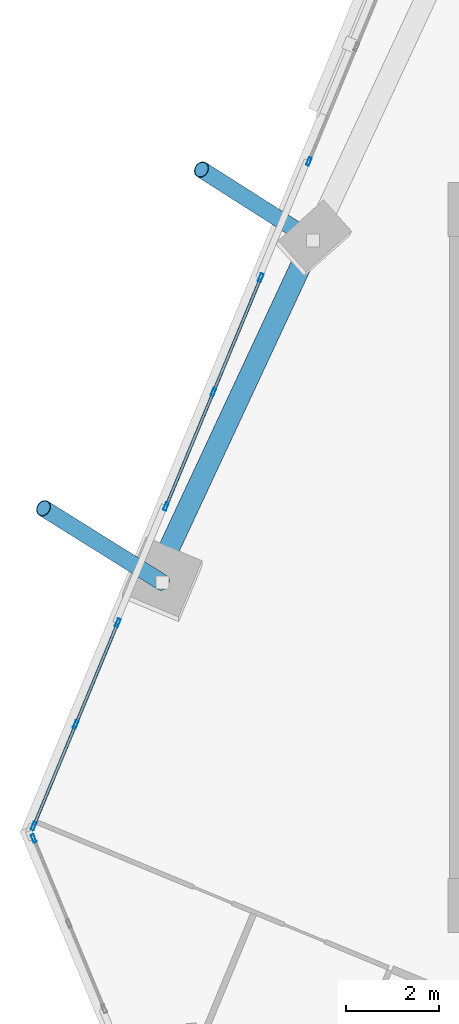
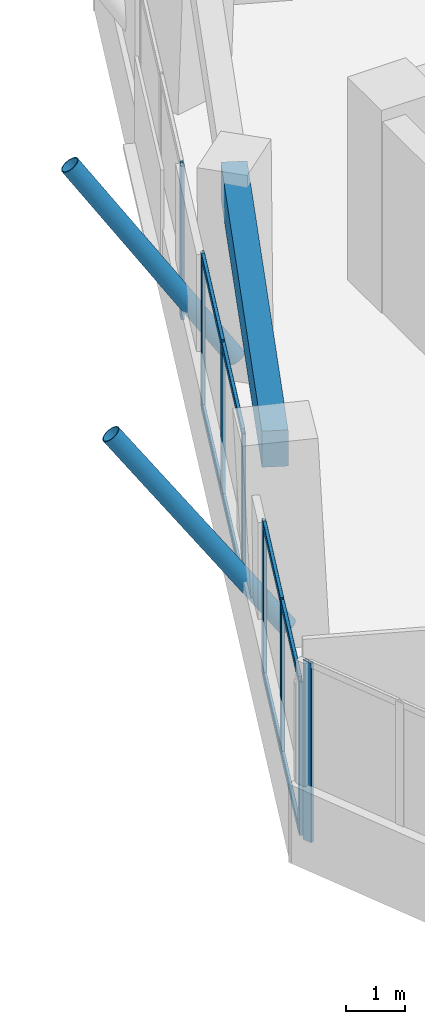
# One storey, part 5 of 22: 18 members, 1 beam, 4 elements without a shape of their own.
"""IFC4 building model written with IfcOpenShell, lengths in metres."""

from ifc_helpers import new_model, si_unit, direction, frame, origin, origin_2d, place, context, subcontext, project, spatial, rectangle, hollow_rectangle, hollow_circle, extrude, source, transform, mapped, material, material_profile, profile_set, type_object, element, aggregate, save


model = new_model("IFC4")

# Units and contexts
model_context = context("Model", 3, precision=1e-05, world=origin(), true_north=direction((0.0, 1.0)))
body_context = subcontext(model_context, "Body", "Model", "MODEL_VIEW")
ifc_project = project(units=[si_unit("LENGTHUNIT", "METRE"), si_unit("AREAUNIT", "SQUARE_METRE"), si_unit("VOLUMEUNIT", "CUBIC_METRE"), si_unit("PLANEANGLEUNIT", "RADIAN"), si_unit("MASSUNIT", "GRAM", prefix="KILO")], contexts=[model_context])

# Site, building, storey
site_placement = place(None, origin())
site = spatial("IfcSite", under=ifc_project, at=site_placement, CompositionType="ELEMENT")
building_placement = place(site_placement, origin())
building = spatial("IfcBuilding", under=site, at=building_placement, Name="Torre Montelarca", CompositionType="ELEMENT")
storey_placement = place(building_placement, frame((0.0, 0.0, 149.800048828125)))
storey = spatial("IfcBuildingStorey", under=building, at=storey_placement, Name="L33", CompositionType="ELEMENT", Elevation=149.800048828125)

# Members
ifc_material_1 = material(Name="Steel ASTM A500 Grade C", Category="steel")
ifc_material_profile_1 = material_profile(ifc_material_1, hollow_circle(Radius=0.177734375, WallThickness=0.015869140625, at=origin_2d()), Name="HSS355.6X15.9", Category="steel")
ifc_profile_set_1 = profile_set([ifc_material_profile_1], Name="Steel ASTM A500 Grade C")
member_type_1 = type_object("IfcMemberType", Name="MB-BR-CHS356-EXT", PredefinedType="BRACE", material=ifc_profile_set_1)
shared_shape_1 = source(origin(), body_context, "Body", "SweptSolid", [
    extrude(hollow_circle(Radius=0.177734375, WallThickness=0.015869140625, at=origin_2d()), origin(), (0.0, 0.0, 1.0), 4.825439453125),
])
member_1_placement = place(storey_placement, frame((6.076904296875, 38.786376953125, 0.14990234375), z_axis=(-0.49440137496, 0.314591460244, 0.810308270709), x_axis=(-0.536841972792, -0.843682817325, 0.0)))
element("IfcMember", 1, at=member_1_placement, inside=storey, type_object=member_type_1, Name="L34 Sliding Tray Exterior Diagonal Raker Strut W2", PredefinedType="BRACE", context=body_context, shape_type="MappedRepresentation", body=[
    mapped(shared_shape_1, transform((0.0, 0.0, 0.0), scale=1.0)),
])
shared_shape_2 = source(origin(), body_context, "Body", "SweptSolid", [
    extrude(hollow_circle(Radius=0.177734375, WallThickness=0.015869140625, at=origin_2d()), origin(), (0.0, 0.0, 1.0), 4.928955078125),
])
member_2_placement = place(storey_placement, frame((2.85498046875, 31.4638671875, 0.14990234375), z_axis=(-0.516323631608, 0.322603205359, 0.79330768264), x_axis=(-0.529881926302, -0.848071426343, 0.0)))
element("IfcMember", 2, at=member_2_placement, inside=storey, type_object=member_type_1, Name="L34 Sliding Tray Exterior Diagonal Raker Strut W1", PredefinedType="BRACE", context=body_context, shape_type="MappedRepresentation", body=[
    mapped(shared_shape_2, transform((0.0, 0.0, 0.0), scale=1.0)),
])

# Beam
ifc_material_2 = material(Name="Concrete C55/67", Category="concrete")
ifc_material_profile_2 = material_profile(ifc_material_2, rectangle(XDim=0.449951171875, YDim=0.75, at=origin_2d()), Name="RCB450X750", Category="concrete")
ifc_profile_set_2 = profile_set([ifc_material_profile_2], Name="Concrete C55/67")
beam_type = type_object("IfcBeamType", Name="BM-SP-RC750-EXT", PredefinedType="SPANDREL", material=ifc_profile_set_2)
shared_shape_3 = source(origin(), body_context, "Body", "SweptSolid", [
    extrude(rectangle(XDim=0.449951171875, YDim=0.75, at=origin_2d()), origin(), (0.0, 0.0, 1.0), 8.0),
])
beam_placement = place(storey_placement, frame((2.847900390625, 31.87060546875, 3.5849609375), z_axis=(0.422608113797, 0.906312519031, 0.0), x_axis=(-0.906312519031, 0.422608113797, 0.0)))
element("IfcBeam", 3, at=beam_placement, inside=storey, type_object=beam_type, Name="L33 Grid Girder Y 24.0-32.0 at X=4.7", PredefinedType="SPANDREL", context=body_context, shape_type="MappedRepresentation", body=[
    mapped(shared_shape_3, transform((0.0, 0.0, 0.0), scale=1.0)),
])

# Curtain wall, member
ifc_material_3 = material(Name="Insulated low-E laminated glass", Category="glass")
curtain_wall_type = type_object("IfcCurtainWallType", Name="CW-SYS-Z2", PredefinedType="USERDEFINED", material=ifc_material_3)
curtain_wall_1_placement = place(storey_placement, origin())
curtain_wall_1 = element("IfcCurtainWall", 4, at=curtain_wall_1_placement, inside=storey, type_object=curtain_wall_type, Name="L33 Curtain Wall Run CW-T3-L33-E11-B1", ObjectType="UNITISED GLAZING", PredefinedType="USERDEFINED")
ifc_material_4 = material(Name="Anodised aluminium AA 6063-T6", Category="aluminium")
ifc_material_profile_3 = material_profile(ifc_material_4, hollow_rectangle(XDim=0.06494140625, YDim=0.179931640625, WallThickness=0.00390625, InnerFilletRadius=0.00390625, OuterFilletRadius=0.008056640625, at=origin_2d()), Name="ALU65X180X4", Category="aluminium")
ifc_profile_set_3 = profile_set([ifc_material_profile_3], Name="Anodised aluminium AA 6063-T6")
member_type_2 = type_object("IfcMemberType", Name="CWM-ALU180", PredefinedType="MULLION", material=ifc_profile_set_3)
shared_shape_4 = source(origin(), body_context, "Body", "SweptSolid", [
    extrude(hollow_rectangle(XDim=0.06494140625, YDim=0.179931640625, WallThickness=0.00390625, InnerFilletRadius=0.00390625, OuterFilletRadius=0.008056640625, at=origin_2d()), origin(), (0.0, 0.0, 1.0), 3.719970703125),
])
member_3_placement = place(storey_placement, frame((0.1005859375, 25.982666015625, 0.0), z_axis=(0.0, 0.0, 1.0), x_axis=(0.92387950838, 0.382683490624, 0.0)))
member_3 = element("IfcMember", 5, at=member_3_placement, type_object=member_type_2, Name="CW mullion 1", PredefinedType="MULLION", context=body_context, shape_type="MappedRepresentation", body=[
    mapped(shared_shape_4, transform((0.0, 0.0, 0.0), scale=1.0)),
])
aggregate(curtain_wall_1, [member_3])

curtain_wall_2_placement = place(storey_placement, origin())
curtain_wall_2 = element("IfcCurtainWall", 6, at=curtain_wall_2_placement, inside=storey, type_object=curtain_wall_type, Name="L33 Curtain Wall Run CW-T3-L33-E10-B1", ObjectType="UNITISED GLAZING", PredefinedType="USERDEFINED")
shared_shape_5 = source(origin(), body_context, "Body", "SweptSolid", [
    extrude(hollow_rectangle(XDim=0.06494140625, YDim=0.179931640625, WallThickness=0.00390625, InnerFilletRadius=0.00390625, OuterFilletRadius=0.008056640625, at=origin_2d()), origin(), (0.0, 0.0, 1.0), 3.175048828125),
])
member_4_placement = place(storey_placement, frame((5.99365234375, 40.476806640625, 0.0), z_axis=(0.0, 0.0, 1.0), x_axis=(0.923878629002, -0.382685613622, 0.0)))
member_4 = element("IfcMember", 7, at=member_4_placement, type_object=member_type_2, Name="CW mullion 3", PredefinedType="MULLION", context=body_context, shape_type="MappedRepresentation", body=[
    mapped(shared_shape_5, transform((0.0, 0.0, 0.0), scale=1.0)),
])
aggregate(curtain_wall_2, [member_4])

# Curtain wall, members
curtain_wall_3_placement = place(storey_placement, origin())
curtain_wall_3 = element("IfcCurtainWall", 8, at=curtain_wall_3_placement, inside=storey, type_object=curtain_wall_type, Name="L33 Curtain Wall Run CW-T3-L33-E10-B2", ObjectType="UNITISED GLAZING", PredefinedType="USERDEFINED")
member_5_placement = place(storey_placement, frame((4.96337890625, 37.9892578125, 0.0), z_axis=(0.0, 0.0, 1.0), x_axis=(0.923878935667, -0.382684873271, 0.0)))
member_5 = element("IfcMember", 9, at=member_5_placement, type_object=member_type_2, Name="CW mullion 1", PredefinedType="MULLION", context=body_context, shape_type="MappedRepresentation", body=[
    mapped(shared_shape_5, transform((0.0, 0.0, 0.0), scale=1.0)),
])
member_6_placement = place(storey_placement, frame((3.94921875, 35.541015625, 0.0), z_axis=(0.0, 0.0, 1.0), x_axis=(0.923878935667, -0.382684873271, 0.0)))
member_6 = element("IfcMember", 10, at=member_6_placement, type_object=member_type_2, Name="CW mullion 2", PredefinedType="MULLION", context=body_context, shape_type="MappedRepresentation", body=[
    mapped(shared_shape_5, transform((0.0, 0.0, 0.0), scale=1.0)),
])
member_7_placement = place(storey_placement, frame((2.93505859375, 33.0927734375, 0.0), z_axis=(0.0, 0.0, 1.0), x_axis=(0.923878935667, -0.382684873271, 0.0)))
member_7 = element("IfcMember", 11, at=member_7_placement, type_object=member_type_2, Name="CW mullion 3", PredefinedType="MULLION", context=body_context, shape_type="MappedRepresentation", body=[
    mapped(shared_shape_5, transform((0.0, 0.0, 0.0), scale=1.0)),
])

curtain_wall_4_placement = place(storey_placement, origin())
curtain_wall_4 = element("IfcCurtainWall", 12, at=curtain_wall_4_placement, inside=storey, type_object=curtain_wall_type, Name="L33 Curtain Wall Run CW-T3-L33-E10-B3", ObjectType="UNITISED GLAZING", PredefinedType="USERDEFINED")
member_8_placement = place(storey_placement, frame((1.902587890625, 30.60009765625, 0.0), z_axis=(0.0, 0.0, 1.0), x_axis=(0.92387998238, -0.382682346283, 0.0)))
member_8 = element("IfcMember", 13, at=member_8_placement, type_object=member_type_2, Name="CW mullion 1", PredefinedType="MULLION", context=body_context, shape_type="MappedRepresentation", body=[
    mapped(shared_shape_5, transform((0.0, 0.0, 0.0), scale=1.0)),
])
member_9_placement = place(storey_placement, frame((1.001708984375, 28.425048828125, 0.0), z_axis=(0.0, 0.0, 1.0), x_axis=(0.92387998238, -0.382682346283, 0.0)))
member_9 = element("IfcMember", 14, at=member_9_placement, type_object=member_type_2, Name="CW mullion 2", PredefinedType="MULLION", context=body_context, shape_type="MappedRepresentation", body=[
    mapped(shared_shape_5, transform((0.0, 0.0, 0.0), scale=1.0)),
])
member_10_placement = place(storey_placement, frame((0.1005859375, 26.249755859375, 0.0), z_axis=(0.0, 0.0, 1.0), x_axis=(0.92387998238, -0.382682346283, 0.0)))
member_10 = element("IfcMember", 15, at=member_10_placement, type_object=member_type_2, Name="CW mullion 3", PredefinedType="MULLION", context=body_context, shape_type="MappedRepresentation", body=[
    mapped(shared_shape_5, transform((0.0, 0.0, 0.0), scale=1.0)),
])

# Member
ifc_material_profile_4 = material_profile(ifc_material_4, hollow_rectangle(XDim=0.06494140625, YDim=0.139892578125, WallThickness=0.00390625, InnerFilletRadius=0.00390625, OuterFilletRadius=0.008056640625, at=origin_2d()), Name="ALU65X140X4", Category="aluminium")
ifc_profile_set_4 = profile_set([ifc_material_profile_4], Name="Anodised aluminium AA 6063-T6")
member_type_3 = type_object("IfcMemberType", Name="CWT-ALU140", PredefinedType="USERDEFINED", material=ifc_profile_set_4)
shared_shape_6 = source(origin(), body_context, "Body", "SweptSolid", [
    extrude(hollow_rectangle(XDim=0.06494140625, YDim=0.139892578125, WallThickness=0.00390625, InnerFilletRadius=0.00390625, OuterFilletRadius=0.008056640625, at=origin_2d()), origin(), (0.0, 0.0, 1.0), 2.5849609375),
])
member_11_placement = place(storey_placement, frame((4.950927734375, 37.959228515625, 0.032470703125), z_axis=(-0.382696567158, -0.923874091792, 0.0), x_axis=(0.923874091792, -0.382696567158, 0.0)))
member_11 = element("IfcMember", 16, at=member_11_placement, type_object=member_type_3, Name="CW transom 1.1", ObjectType="TRANSOM", PredefinedType="USERDEFINED", context=body_context, shape_type="MappedRepresentation", body=[
    mapped(shared_shape_6, transform((0.0, 0.0, 0.0), scale=1.0)),
])

member_12_placement = place(storey_placement, frame((4.950927734375, 37.959228515625, 3.142333984375), z_axis=(-0.382696567158, -0.923874091792, 0.0), x_axis=(0.923874091792, -0.382696567158, 0.0)))
member_12 = element("IfcMember", 17, at=member_12_placement, type_object=member_type_3, Name="CW transom 1.2", ObjectType="TRANSOM", PredefinedType="USERDEFINED", context=body_context, shape_type="MappedRepresentation", body=[
    mapped(shared_shape_6, transform((0.0, 0.0, 0.0), scale=1.0)),
])

member_13_placement = place(storey_placement, frame((3.936767578125, 35.510986328125, 0.032470703125), z_axis=(-0.382696567158, -0.923874091792, 0.0), x_axis=(0.923874091792, -0.382696567158, 0.0)))
member_13 = element("IfcMember", 18, at=member_13_placement, type_object=member_type_3, Name="CW transom 2.1", ObjectType="TRANSOM", PredefinedType="USERDEFINED", context=body_context, shape_type="MappedRepresentation", body=[
    mapped(shared_shape_6, transform((0.0, 0.0, 0.0), scale=1.0)),
])

member_14_placement = place(storey_placement, frame((3.936767578125, 35.510986328125, 3.142333984375), z_axis=(-0.382696567158, -0.923874091792, 0.0), x_axis=(0.923874091792, -0.382696567158, 0.0)))
member_14 = element("IfcMember", 19, at=member_14_placement, type_object=member_type_3, Name="CW transom 2.2", ObjectType="TRANSOM", PredefinedType="USERDEFINED", context=body_context, shape_type="MappedRepresentation", body=[
    mapped(shared_shape_6, transform((0.0, 0.0, 0.0), scale=1.0)),
])

aggregate(curtain_wall_3, [member_5, member_6, member_7, member_11, member_12, member_13, member_14])

shared_shape_7 = source(origin(), body_context, "Body", "SweptSolid", [
    extrude(hollow_rectangle(XDim=0.06494140625, YDim=0.139892578125, WallThickness=0.00390625, InnerFilletRadius=0.00390625, OuterFilletRadius=0.008056640625, at=origin_2d()), origin(), (0.0, 0.0, 1.0), 2.289306640625),
])
member_15_placement = place(storey_placement, frame((1.89013671875, 30.570068359375, 0.032470703125), z_axis=(-0.382744228695, -0.923854347503, 0.0), x_axis=(0.923854347503, -0.382744228695, 0.0)))
member_15 = element("IfcMember", 20, at=member_15_placement, type_object=member_type_3, Name="CW transom 1.1", ObjectType="TRANSOM", PredefinedType="USERDEFINED", context=body_context, shape_type="MappedRepresentation", body=[
    mapped(shared_shape_7, transform((0.0, 0.0, 0.0), scale=1.0)),
])

member_16_placement = place(storey_placement, frame((1.89013671875, 30.570068359375, 3.142333984375), z_axis=(-0.382744228695, -0.923854347503, 0.0), x_axis=(0.923854347503, -0.382744228695, 0.0)))
member_16 = element("IfcMember", 21, at=member_16_placement, type_object=member_type_3, Name="CW transom 1.2", ObjectType="TRANSOM", PredefinedType="USERDEFINED", context=body_context, shape_type="MappedRepresentation", body=[
    mapped(shared_shape_7, transform((0.0, 0.0, 0.0), scale=1.0)),
])

shared_shape_8 = source(origin(), body_context, "Body", "SweptSolid", [
    extrude(hollow_rectangle(XDim=0.06494140625, YDim=0.139892578125, WallThickness=0.00390625, InnerFilletRadius=0.00390625, OuterFilletRadius=0.008056640625, at=origin_2d()), origin(), (0.0, 0.0, 1.0), 2.28955078125),
])
member_17_placement = place(storey_placement, frame((0.9892578125, 28.39501953125, 0.032470703125), z_axis=(-0.382706522889, -0.923869967765, 0.0), x_axis=(0.923869967765, -0.382706522889, 0.0)))
member_17 = element("IfcMember", 22, at=member_17_placement, type_object=member_type_3, Name="CW transom 2.1", ObjectType="TRANSOM", PredefinedType="USERDEFINED", context=body_context, shape_type="MappedRepresentation", body=[
    mapped(shared_shape_8, transform((0.0, 0.0, 0.0), scale=1.0)),
])

member_18_placement = place(storey_placement, frame((0.9892578125, 28.39501953125, 3.142333984375), z_axis=(-0.382706522889, -0.923869967765, 0.0), x_axis=(0.923869967765, -0.382706522889, 0.0)))
member_18 = element("IfcMember", 23, at=member_18_placement, type_object=member_type_3, Name="CW transom 2.2", ObjectType="TRANSOM", PredefinedType="USERDEFINED", context=body_context, shape_type="MappedRepresentation", body=[
    mapped(shared_shape_8, transform((0.0, 0.0, 0.0), scale=1.0)),
])

aggregate(curtain_wall_4, [member_8, member_9, member_10, member_15, member_16, member_17, member_18])

save(model, "model.ifc")
